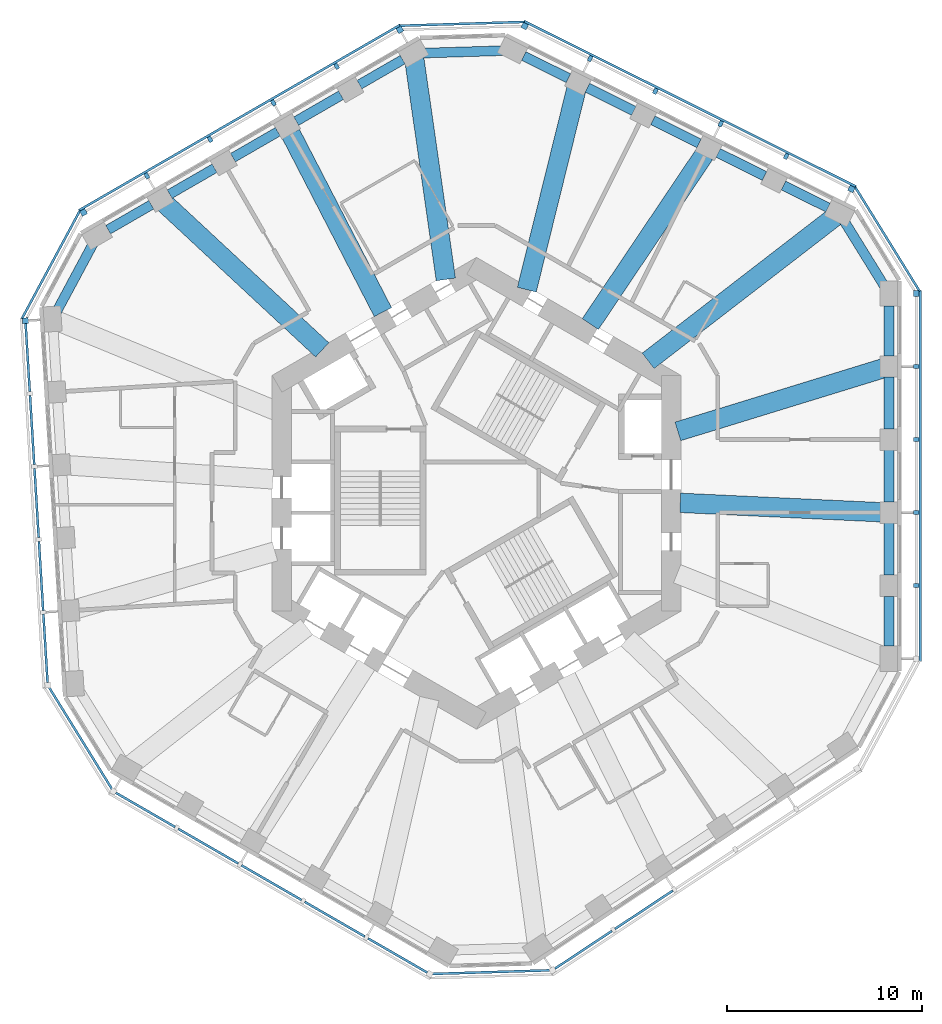
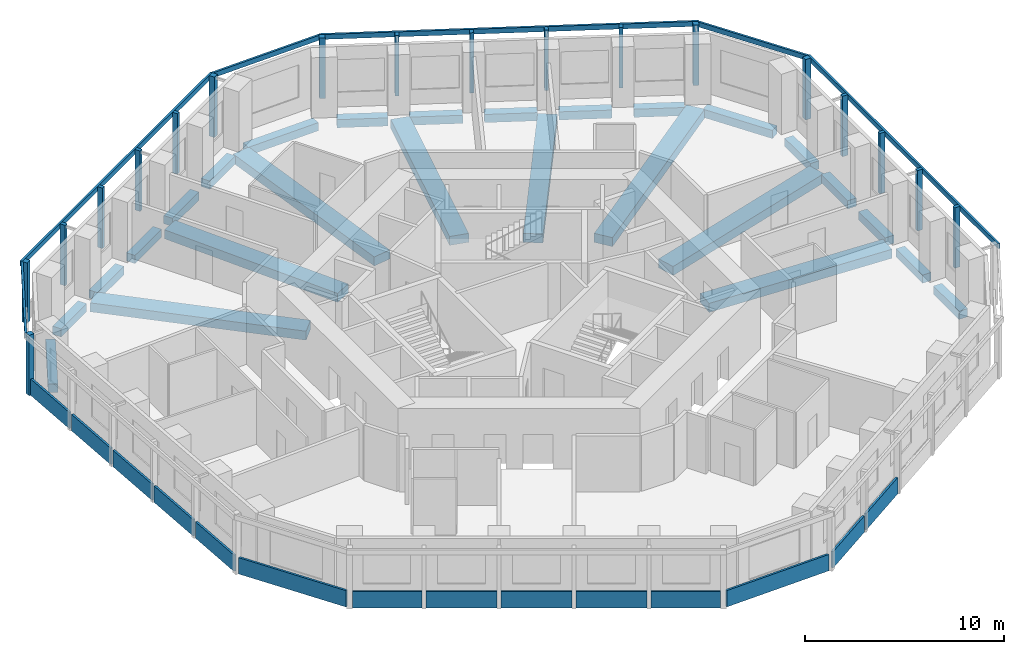
# One storey, part 2 of 11: 26 beams, 24 members, 14 plates, 11 elements without a shape of their own.
"""IFC4 building model written with IfcOpenShell, lengths in metres."""

import ifcopenshell
import ifcopenshell.guid

model = None  # the IFC model being written
_history = None  # IfcOwnerHistory: only IFC2X3 demands one
_inside = {}  # id of a spatial element -> (the spatial element, [elements in it])
_under = {}  # id of a project, library or spatial element -> (it, [spatial elements below it])
_declared = {}  # id of a project -> (the project, [libraries it declares])
_typed = {}  # id of a type object -> (the type object, [elements of that type])
_made_of = {}  # id of a material, layer set ... -> (it, [elements and type objects made of it])


def new_model(schema):
    """Start an empty IFC model of exactly this schema.

    Asked for "IFC4X3", IfcOpenShell would pick the latest addendum, in which some entities
    have other attributes; the version numbers below select the first issue.
    IFC2X3 requires an IfcOwnerHistory on every rooted entity: one is made here for all.
    """
    global model, _history
    if schema == "IFC4X3":
        model = ifcopenshell.file(schema_version=(4, 3, 0, 0))
    else:
        model = ifcopenshell.file(schema=schema)
    _inside.clear()
    _under.clear()
    _declared.clear()
    _typed.clear()
    _made_of.clear()
    _history = None
    if model.schema == "IFC2X3":
        org = make("IfcOrganization", Name="unknown")
        user = make(
            "IfcPersonAndOrganization",
            ThePerson=make("IfcPerson", FamilyName="unknown"),
            TheOrganization=org,
        )
        app = make(
            "IfcApplication",
            ApplicationDeveloper=org,
            Version="unknown",
            ApplicationFullName="unknown",
            ApplicationIdentifier="unknown",
        )
        _history = make(
            "IfcOwnerHistory",
            OwningUser=user,
            OwningApplication=app,
            ChangeAction="ADDED",
            CreationDate=0,
        )
    return model


def make(cls, **values):
    """One entity of the class cls with the attributes given. An attribute that is None is left unset."""
    return model.create_entity(
        cls, **{name: value for name, value in values.items() if value is not None}
    )


def rooted(cls, **values):
    """An entity with a GlobalId (a new one), such as an element, a storey or a relation."""
    return make(cls, GlobalId=ifcopenshell.guid.new(), OwnerHistory=_history, **values)


def si_unit(unit_type, name, prefix=None):
    """IfcSIUnit, for example si_unit("LENGTHUNIT", "METRE", prefix="MILLI")."""
    return make("IfcSIUnit", UnitType=unit_type, Prefix=prefix, Name=name)


def assignment(units):
    """IfcUnitAssignment: the units of a project."""
    return None if units is None else make("IfcUnitAssignment", Units=units)


def point(xyz):
    """IfcCartesianPoint."""
    return None if xyz is None else make("IfcCartesianPoint", Coordinates=xyz)


def direction(xyz):
    """IfcDirection."""
    return None if xyz is None else make("IfcDirection", DirectionRatios=xyz)


def frame(location, z_axis=None, x_axis=None):
    """IfcAxis2Placement3D, a coordinate frame: its origin and axes. An axis left out is left unset."""
    return make(
        "IfcAxis2Placement3D",
        Location=point(location),
        Axis=direction(z_axis),
        RefDirection=direction(x_axis),
    )


def frame_2d(location, x_axis=None):
    """IfcAxis2Placement2D, a coordinate frame in the plane: its origin and x axis."""
    return make(
        "IfcAxis2Placement2D", Location=point(location), RefDirection=direction(x_axis)
    )


def origin():
    """The frame at (0, 0, 0) with its axes left unset."""
    return frame((0.0, 0.0, 0.0))


def origin_2d():
    """The frame at (0, 0) in the plane with its x axis left unset."""
    return frame_2d((0.0, 0.0))


def place(relative_to, where):
    """IfcLocalPlacement: puts the frame where relative to a parent placement (None: the world)."""
    return make(
        "IfcLocalPlacement", PlacementRelTo=relative_to, RelativePlacement=where
    )


def context(
    kind, dimensions, precision=None, world=None, true_north=None, identifier=None
):
    """IfcGeometricRepresentationContext, for example the 3D "Model" context."""
    return make(
        "IfcGeometricRepresentationContext",
        ContextIdentifier=identifier,
        ContextType=kind,
        CoordinateSpaceDimension=dimensions,
        Precision=precision,
        WorldCoordinateSystem=world,
        TrueNorth=true_north,
    )


def subcontext(parent, identifier, kind, view, scale=None):
    """IfcGeometricRepresentationSubContext, for example "Body" below "Model"."""
    return make(
        "IfcGeometricRepresentationSubContext",
        ContextIdentifier=identifier,
        ContextType=kind,
        ParentContext=parent,
        TargetScale=scale,
        TargetView=view,
    )


def project(units=None, contexts=None):
    """IfcProject with its units and contexts."""
    return rooted(
        "IfcProject",
        Name="project",
        RepresentationContexts=contexts,
        UnitsInContext=assignment(units),
    )


def spatial(cls, under=None, at=None, **own):
    """A site, building, storey or space (cls), placed at a placement, below another one or the project."""
    s = rooted(cls, ObjectPlacement=at, **own)
    if under is not None:
        _under.setdefault(under.id(), (under, []))[1].append(s)
    return s


def profile(cls, at=None, kind="AREA", **sizes):
    """A parametric profile (cls). Its sizes go by their IFC names, for example OverallWidth=200.0."""
    return make(cls, ProfileType=kind, Position=at, **sizes)


def rectangle(**sizes):
    """IfcRectangleProfileDef."""
    return profile("IfcRectangleProfileDef", **sizes)


def extrude(swept, where, along, depth):
    """IfcExtrudedAreaSolid: the profile swept, set in the frame where, extruded along a direction by depth."""
    return make(
        "IfcExtrudedAreaSolid",
        SweptArea=swept,
        Position=where,
        ExtrudedDirection=direction(along),
        Depth=depth,
    )


def shape(context_of_items, identifier, shape_type, items):
    """IfcShapeRepresentation: the items that make up one representation, for example the "Body"."""
    return make(
        "IfcShapeRepresentation",
        ContextOfItems=context_of_items,
        RepresentationIdentifier=identifier,
        RepresentationType=shape_type,
        Items=items,
    )


def material(Name=None, Category=None):
    """IfcMaterial."""
    return make("IfcMaterial", Name=Name, Category=Category)


def layer(
    of_material, thickness, ventilated=None, Name=None, Category=None, Priority=None
):
    """IfcMaterialLayer: one layer of a wall or slab, of a material (None: an air gap)."""
    return make(
        "IfcMaterialLayer",
        Material=of_material,
        LayerThickness=thickness,
        IsVentilated=ventilated,
        Name=Name,
        Category=Category,
        Priority=Priority,
    )


def layer_set(layers, Name=None):
    """IfcMaterialLayerSet."""
    return make("IfcMaterialLayerSet", MaterialLayers=layers, LayerSetName=Name)


def material_profile(
    of_material, cross_section, Name=None, Category=None, Priority=None
):
    """IfcMaterialProfile: a cross section and its material."""
    return make(
        "IfcMaterialProfile",
        Name=Name,
        Material=of_material,
        Profile=cross_section,
        Priority=Priority,
        Category=Category,
    )


def profile_set(profiles, Name=None, composite=None):
    """IfcMaterialProfileSet."""
    return make(
        "IfcMaterialProfileSet",
        Name=Name,
        MaterialProfiles=profiles,
        CompositeProfile=composite,
    )


def made_of(thing, what):
    """Note that an element or type object is made of a material, layer set ...; save() writes the relation."""
    if what is not None:
        _made_of.setdefault(what.id(), (what, []))[1].append(thing)
    return thing


def type_object(cls, material=None, **own):
    """A type object (cls), such as IfcWallType, which elements share."""
    return made_of(rooted(cls, **own), material)


def element(
    cls,
    number,
    at=None,
    inside=None,
    cuts=None,
    type_object=None,
    material=None,
    context=None,
    identifier="Body",
    shape_type=None,
    held_by="IfcProductDefinitionShape",
    body=None,
    shapes=None,
    **own,
):
    """One element of the class cls, such as IfcWall. Its Tag is "e" and its number.

    at: its placement. inside: the storey or other place that contains it. cuts: it is an
    opening in that element (IfcRelVoidsElement). A single representation is given by context,
    identifier, shape_type and body (its items); several are given by shapes. held_by: the class
    of the entity that holds the representations. save() writes the other relations.
    """
    e = rooted(cls, Tag="e%d" % number, ObjectPlacement=at, **own)
    if body is not None:
        shapes = [shape(context, identifier, shape_type, body)]
    if shapes is not None:
        e.Representation = make(held_by, Representations=shapes)
    if inside is not None:
        _inside.setdefault(inside.id(), (inside, []))[1].append(e)
    if cuts is not None:
        rooted(
            "IfcRelVoidsElement", RelatingBuildingElement=cuts, RelatedOpeningElement=e
        )
    if type_object is not None:
        _typed.setdefault(type_object.id(), (type_object, []))[1].append(e)
    return made_of(e, material)


def aggregate(whole, parts):
    """IfcRelAggregates: a whole, such as a stair, and the parts it consists of."""
    return rooted("IfcRelAggregates", RelatingObject=whole, RelatedObjects=parts)


def save(model, path):
    """Write the relations noted so far, then the file.

    IfcRelAggregates (storeys below a building ...), IfcRelContainedInSpatialStructure (elements
    in a storey), IfcRelDefinesByType, IfcRelAssociatesMaterial and IfcRelDeclares: one each for
    every whole, place, type object, material and project.
    """
    for whole, parts in _under.values():
        aggregate(whole, parts)
    for where, things in _inside.values():
        rooted(
            "IfcRelContainedInSpatialStructure",
            RelatedElements=things,
            RelatingStructure=where,
        )
    for kind, things in _typed.values():
        rooted("IfcRelDefinesByType", RelatedObjects=things, RelatingType=kind)
    for what, things in _made_of.values():
        rooted("IfcRelAssociatesMaterial", RelatedObjects=things, RelatingMaterial=what)
    for by, libraries in _declared.values():
        rooted("IfcRelDeclares", RelatingContext=by, RelatedDefinitions=libraries)
    model.write(path)


model = new_model("IFC4")

# Units and contexts
model_context = context("Model", 3, precision=1e-05, world=origin(), true_north=direction((0.0, 1.0)))
body_context = subcontext(model_context, "Body", "Model", "MODEL_VIEW")
ifc_project = project(units=[si_unit("LENGTHUNIT", "METRE"), si_unit("AREAUNIT", "SQUARE_METRE"), si_unit("VOLUMEUNIT", "CUBIC_METRE"), si_unit("PLANEANGLEUNIT", "RADIAN"), si_unit("MASSUNIT", "GRAM", prefix="KILO")], contexts=[model_context])

# Site, building, storey
site_placement = place(None, origin())
site = spatial("IfcSite", under=ifc_project, at=site_placement, CompositionType="ELEMENT")
building_placement = place(site_placement, origin())
building = spatial("IfcBuilding", under=site, at=building_placement, Name="Vanh Sen Convention Tower", CompositionType="ELEMENT")
storey_placement = place(building_placement, frame((0.0, 0.0, 146.60009765625)))
storey = spatial("IfcBuildingStorey", under=building, at=storey_placement, Name="L35", CompositionType="ELEMENT", Elevation=146.60009765625)

# Curtain wall, member
ifc_material_1 = material(Name="Concrete C50/60", Category="concrete")
curtain_wall_type = type_object("IfcCurtainWallType", Name="Outer skin office zone", PredefinedType="NOTDEFINED", material=ifc_material_1)
curtain_wall_1_placement = place(storey_placement, origin())
curtain_wall_1 = element("IfcCurtainWall", 1, at=curtain_wall_1_placement, inside=storey, type_object=curtain_wall_type, Name="OUTER SKIN E L35", PredefinedType="NOTDEFINED")
ifc_material_profile_1 = material_profile(ifc_material_1, rectangle(XDim=0.300048828125, YDim=0.300048828125, at=origin_2d()), Name="Outer skin precast corner fin 300 x 300")
ifc_profile_set_1 = profile_set([ifc_material_profile_1], Name="Concrete C50/60")
member_type_1 = type_object("IfcMemberType", Name="Outer skin precast corner fin 300 x 300", PredefinedType="MULLION", material=ifc_profile_set_1)
member_1_placement = place(storey_placement, frame((22.60009765625, 10.26953125, 0.0), z_axis=(0.0, 0.0, 1.0), x_axis=(0.0, 1.0, 0.0)))
member_1 = element("IfcMember", 2, at=member_1_placement, type_object=member_type_1, Name="OUTER SKIN CORNER FIN 6 E L35", PredefinedType="MULLION", context=body_context, shape_type="SweptSolid", body=[
    extrude(rectangle(XDim=0.300048828125, YDim=0.300048828125, at=origin_2d()), origin(), (0.0, 0.0, 1.0), 3.699951171875),
])

# Curtain wall, members
curtain_wall_2_placement = place(storey_placement, origin())
curtain_wall_2 = element("IfcCurtainWall", 3, at=curtain_wall_2_placement, inside=storey, type_object=curtain_wall_type, Name="OUTER SKIN NE L35", PredefinedType="NOTDEFINED")
member_2_placement = place(storey_placement, frame((19.274658203125, 15.643310546875, 0.0), z_axis=(0.0, 0.0, 1.0), x_axis=(-0.894934361602, 0.44619781311, 0.0)))
member_2 = element("IfcMember", 4, at=member_2_placement, type_object=member_type_1, Name="OUTER SKIN CORNER FIN 1 NE L35", PredefinedType="MULLION", context=body_context, shape_type="SweptSolid", body=[
    extrude(rectangle(XDim=0.300048828125, YDim=0.300048828125, at=origin_2d()), origin(), (0.0, 0.0, 1.0), 3.699951171875),
])
member_3_placement = place(storey_placement, frame((2.476318359375, 24.0185546875, 0.0), z_axis=(0.0, 0.0, 1.0), x_axis=(-0.894934361602, 0.44619781311, 0.0)))
member_3 = element("IfcMember", 5, at=member_3_placement, type_object=member_type_1, Name="OUTER SKIN CORNER FIN 6 NE L35", PredefinedType="MULLION", context=body_context, shape_type="SweptSolid", body=[
    extrude(rectangle(XDim=0.300048828125, YDim=0.300048828125, at=origin_2d()), origin(), (0.0, 0.0, 1.0), 3.699951171875),
])

curtain_wall_3_placement = place(storey_placement, origin())
curtain_wall_3 = element("IfcCurtainWall", 6, at=curtain_wall_3_placement, inside=storey, type_object=curtain_wall_type, Name="OUTER SKIN NW L35", PredefinedType="NOTDEFINED")
member_4_placement = place(storey_placement, frame((-3.93798828125, 23.822509765625, 0.0), z_axis=(0.0, 0.0, 1.0), x_axis=(-0.866025403784, -0.5, 0.0)))
member_4 = element("IfcMember", 7, at=member_4_placement, type_object=member_type_1, Name="OUTER SKIN CORNER FIN 1 NW L35", PredefinedType="MULLION", context=body_context, shape_type="SweptSolid", body=[
    extrude(rectangle(XDim=0.300048828125, YDim=0.300048828125, at=origin_2d()), origin(), (0.0, 0.0, 1.0), 3.699951171875),
])
member_5_placement = place(storey_placement, frame((-20.193603515625, 14.4375, 0.0), z_axis=(0.0, 0.0, 1.0), x_axis=(-0.866025403784, -0.5, 0.0)))
member_5 = element("IfcMember", 8, at=member_5_placement, type_object=member_type_1, Name="OUTER SKIN CORNER FIN 6 NW L35", PredefinedType="MULLION", context=body_context, shape_type="SweptSolid", body=[
    extrude(rectangle(XDim=0.300048828125, YDim=0.300048828125, at=origin_2d()), origin(), (0.0, 0.0, 1.0), 3.699951171875),
])

# Curtain wall, member
curtain_wall_4_placement = place(storey_placement, origin())
curtain_wall_4 = element("IfcCurtainWall", 9, at=curtain_wall_4_placement, inside=storey, type_object=curtain_wall_type, Name="OUTER SKIN W L35", PredefinedType="NOTDEFINED")
member_6_placement = place(storey_placement, frame((-23.184814453125, 8.87060546875, 0.0), z_axis=(0.0, 0.0, 1.0), x_axis=(0.061048539535, -0.998134798422, 0.0)))
member_6 = element("IfcMember", 10, at=member_6_placement, type_object=member_type_1, Name="OUTER SKIN CORNER FIN 1 W L35", PredefinedType="MULLION", context=body_context, shape_type="SweptSolid", body=[
    extrude(rectangle(XDim=0.300048828125, YDim=0.300048828125, at=origin_2d()), origin(), (0.0, 0.0, 1.0), 3.699951171875),
])

# Member
ifc_material_profile_2 = material_profile(ifc_material_1, rectangle(XDim=0.199951171875, YDim=0.300048828125, at=origin_2d()), Name="Outer skin precast fin 200 x 300")
ifc_profile_set_2 = profile_set([ifc_material_profile_2], Name="Concrete C50/60")
member_type_2 = type_object("IfcMemberType", Name="Outer skin precast fin 200 x 300", PredefinedType="MULLION", material=ifc_profile_set_2)
member_7_placement = place(storey_placement, frame((22.60009765625, -4.746826171875, 0.0), z_axis=(0.0, 0.0, 1.0), x_axis=(0.0, 1.0, 0.0)))
member_7 = element("IfcMember", 11, at=member_7_placement, type_object=member_type_2, Name="OUTER SKIN fin 2 E L35", PredefinedType="MULLION", context=body_context, shape_type="SweptSolid", body=[
    extrude(rectangle(XDim=0.199951171875, YDim=0.300048828125, at=origin_2d()), origin(), (0.0, 0.0, 1.0), 3.699951171875),
])

member_8_placement = place(storey_placement, frame((22.60009765625, -0.992919921875, 0.0), z_axis=(0.0, 0.0, 1.0), x_axis=(0.0, 1.0, 0.0)))
member_8 = element("IfcMember", 12, at=member_8_placement, type_object=member_type_2, Name="OUTER SKIN fin 3 E L35", PredefinedType="MULLION", context=body_context, shape_type="SweptSolid", body=[
    extrude(rectangle(XDim=0.199951171875, YDim=0.300048828125, at=origin_2d()), origin(), (0.0, 0.0, 1.0), 3.699951171875),
])

member_9_placement = place(storey_placement, frame((22.60009765625, 2.76123046875, 0.0), z_axis=(0.0, 0.0, 1.0), x_axis=(0.0, 1.0, 0.0)))
member_9 = element("IfcMember", 13, at=member_9_placement, type_object=member_type_2, Name="OUTER SKIN fin 4 E L35", PredefinedType="MULLION", context=body_context, shape_type="SweptSolid", body=[
    extrude(rectangle(XDim=0.199951171875, YDim=0.300048828125, at=origin_2d()), origin(), (0.0, 0.0, 1.0), 3.699951171875),
])

member_10_placement = place(storey_placement, frame((22.60009765625, 6.515380859375, 0.0), z_axis=(0.0, 0.0, 1.0), x_axis=(0.0, 1.0, 0.0)))
member_10 = element("IfcMember", 14, at=member_10_placement, type_object=member_type_2, Name="OUTER SKIN fin 5 E L35", PredefinedType="MULLION", context=body_context, shape_type="SweptSolid", body=[
    extrude(rectangle(XDim=0.199951171875, YDim=0.300048828125, at=origin_2d()), origin(), (0.0, 0.0, 1.0), 3.699951171875),
])

member_11_placement = place(storey_placement, frame((15.9150390625, 17.318359375, 0.0), z_axis=(0.0, 0.0, 1.0), x_axis=(-0.894934361602, 0.44619781311, 0.0)))
member_11 = element("IfcMember", 15, at=member_11_placement, type_object=member_type_2, Name="OUTER SKIN fin 2 NE L35", PredefinedType="MULLION", context=body_context, shape_type="SweptSolid", body=[
    extrude(rectangle(XDim=0.199951171875, YDim=0.300048828125, at=origin_2d()), origin(), (0.0, 0.0, 1.0), 3.699951171875),
])

member_12_placement = place(storey_placement, frame((12.555419921875, 18.993408203125, 0.0), z_axis=(0.0, 0.0, 1.0), x_axis=(-0.894934361602, 0.44619781311, 0.0)))
member_12 = element("IfcMember", 16, at=member_12_placement, type_object=member_type_2, Name="OUTER SKIN fin 3 NE L35", PredefinedType="MULLION", context=body_context, shape_type="SweptSolid", body=[
    extrude(rectangle(XDim=0.199951171875, YDim=0.300048828125, at=origin_2d()), origin(), (0.0, 0.0, 1.0), 3.699951171875),
])

member_13_placement = place(storey_placement, frame((9.195556640625, 20.66845703125, 0.0), z_axis=(0.0, 0.0, 1.0), x_axis=(-0.894934361602, 0.44619781311, 0.0)))
member_13 = element("IfcMember", 17, at=member_13_placement, type_object=member_type_2, Name="OUTER SKIN fin 4 NE L35", PredefinedType="MULLION", context=body_context, shape_type="SweptSolid", body=[
    extrude(rectangle(XDim=0.199951171875, YDim=0.300048828125, at=origin_2d()), origin(), (0.0, 0.0, 1.0), 3.699951171875),
])

member_14_placement = place(storey_placement, frame((5.8359375, 22.343505859375, 0.0), z_axis=(0.0, 0.0, 1.0), x_axis=(-0.894934361602, 0.44619781311, 0.0)))
member_14 = element("IfcMember", 18, at=member_14_placement, type_object=member_type_2, Name="OUTER SKIN fin 5 NE L35", PredefinedType="MULLION", context=body_context, shape_type="SweptSolid", body=[
    extrude(rectangle(XDim=0.199951171875, YDim=0.300048828125, at=origin_2d()), origin(), (0.0, 0.0, 1.0), 3.699951171875),
])

member_15_placement = place(storey_placement, frame((-7.189208984375, 21.945556640625, 0.0), z_axis=(0.0, 0.0, 1.0), x_axis=(-0.866025403784, -0.5, 0.0)))
member_15 = element("IfcMember", 19, at=member_15_placement, type_object=member_type_2, Name="OUTER SKIN fin 2 NW L35", PredefinedType="MULLION", context=body_context, shape_type="SweptSolid", body=[
    extrude(rectangle(XDim=0.199951171875, YDim=0.300048828125, at=origin_2d()), origin(), (0.0, 0.0, 1.0), 3.699951171875),
])

member_16_placement = place(storey_placement, frame((-10.440185546875, 20.068603515625, 0.0), z_axis=(0.0, 0.0, 1.0), x_axis=(-0.866025403784, -0.5, 0.0)))
member_16 = element("IfcMember", 20, at=member_16_placement, type_object=member_type_2, Name="OUTER SKIN fin 3 NW L35", PredefinedType="MULLION", context=body_context, shape_type="SweptSolid", body=[
    extrude(rectangle(XDim=0.199951171875, YDim=0.300048828125, at=origin_2d()), origin(), (0.0, 0.0, 1.0), 3.699951171875),
])

member_17_placement = place(storey_placement, frame((-13.69140625, 18.19140625, 0.0), z_axis=(0.0, 0.0, 1.0), x_axis=(-0.866025403784, -0.5, 0.0)))
member_17 = element("IfcMember", 21, at=member_17_placement, type_object=member_type_2, Name="OUTER SKIN fin 4 NW L35", PredefinedType="MULLION", context=body_context, shape_type="SweptSolid", body=[
    extrude(rectangle(XDim=0.199951171875, YDim=0.300048828125, at=origin_2d()), origin(), (0.0, 0.0, 1.0), 3.699951171875),
])

member_18_placement = place(storey_placement, frame((-16.9423828125, 16.314453125, 0.0), z_axis=(0.0, 0.0, 1.0), x_axis=(-0.866025403784, -0.5, 0.0)))
member_18 = element("IfcMember", 22, at=member_18_placement, type_object=member_type_2, Name="OUTER SKIN fin 5 NW L35", PredefinedType="MULLION", context=body_context, shape_type="SweptSolid", body=[
    extrude(rectangle(XDim=0.199951171875, YDim=0.300048828125, at=origin_2d()), origin(), (0.0, 0.0, 1.0), 3.699951171875),
])

ifc_material_profile_3 = material_profile(ifc_material_1, rectangle(XDim=0.1201171875, YDim=0.300048828125, at=origin_2d()), Name="Outer skin precast spandrel band 300 x 120")
ifc_profile_set_3 = profile_set([ifc_material_profile_3], Name="Concrete C50/60")
member_type_3 = type_object("IfcMemberType", Name="Outer skin precast spandrel band 300 x 120", PredefinedType="USERDEFINED", material=ifc_profile_set_3)
member_19_placement = place(storey_placement, frame((22.81005859375, -8.65087890625, 3.5498046875), z_axis=(0.0, 1.0, 0.0), x_axis=(-1.0, 0.0, 0.0)))
member_19 = element("IfcMember", 23, at=member_19_placement, type_object=member_type_3, Name="OUTER SKIN spandrel band E L35", ObjectType="TRANSOM", PredefinedType="USERDEFINED", context=body_context, shape_type="SweptSolid", body=[
    extrude(rectangle(XDim=0.1201171875, YDim=0.300048828125, at=origin_2d()), origin(), (0.0, 0.0, 1.0), 19.0703125),
])

aggregate(curtain_wall_1, [member_7, member_8, member_9, member_10, member_1, member_19])

# Curtain wall, member
curtain_wall_5_placement = place(storey_placement, origin())
curtain_wall_5 = element("IfcCurtainWall", 24, at=curtain_wall_5_placement, inside=storey, type_object=curtain_wall_type, Name="OUTER SKIN CH1 L35", PredefinedType="NOTDEFINED")
member_20_placement = place(storey_placement, frame((22.778564453125, 10.3798828125, 3.5498046875), z_axis=(-0.526173726926, 0.850377098171, 0.0), x_axis=(-0.850377098171, -0.526173726926, 0.0)))
member_20 = element("IfcMember", 25, at=member_20_placement, type_object=member_type_3, Name="OUTER SKIN spandrel band CH1 L35", ObjectType="TRANSOM", PredefinedType="USERDEFINED", context=body_context, shape_type="SweptSolid", body=[
    extrude(rectangle(XDim=0.1201171875, YDim=0.300048828125, at=origin_2d()), origin(), (0.0, 0.0, 1.0), 6.319580078125),
])
aggregate(curtain_wall_5, [member_20])

# Member
member_21_placement = place(storey_placement, frame((19.502685546875, 15.764404296875, 3.5498046875), z_axis=(-0.894941234474, 0.446184027996, 0.0), x_axis=(-0.446184027996, -0.894941234474, 0.0)))
member_21 = element("IfcMember", 26, at=member_21_placement, type_object=member_type_3, Name="OUTER SKIN spandrel band NE L35", ObjectType="TRANSOM", PredefinedType="USERDEFINED", context=body_context, shape_type="SweptSolid", body=[
    extrude(rectangle(XDim=0.1201171875, YDim=0.300048828125, at=origin_2d()), origin(), (0.0, 0.0, 1.0), 19.07080078125),
])

aggregate(curtain_wall_2, [member_2, member_11, member_12, member_13, member_14, member_3, member_21])

# Curtain wall, member
curtain_wall_6_placement = place(storey_placement, origin())
curtain_wall_6 = element("IfcCurtainWall", 27, at=curtain_wall_6_placement, inside=storey, type_object=curtain_wall_type, Name="OUTER SKIN CH2 L35", PredefinedType="NOTDEFINED")
member_22_placement = place(storey_placement, frame((2.4697265625, 24.228515625, 3.5498046875), z_axis=(-0.999533221695, -0.030550592913, 0.0), x_axis=(0.030550592913, -0.999533221695, 0.0)))
member_22 = element("IfcMember", 28, at=member_22_placement, type_object=member_type_3, Name="OUTER SKIN spandrel band CH2 L35", ObjectType="TRANSOM", PredefinedType="USERDEFINED", context=body_context, shape_type="SweptSolid", body=[
    extrude(rectangle(XDim=0.1201171875, YDim=0.300048828125, at=origin_2d()), origin(), (0.0, 0.0, 1.0), 6.4169921875),
])
aggregate(curtain_wall_6, [member_22])

# Member
member_23_placement = place(storey_placement, frame((-3.9130859375, 24.07958984375, 3.5498046875), z_axis=(-0.866023136587, -0.500003926881, 0.0), x_axis=(0.500003926881, -0.866023136587, 0.0)))
member_23 = element("IfcMember", 29, at=member_23_placement, type_object=member_type_3, Name="OUTER SKIN spandrel band NW L35", ObjectType="TRANSOM", PredefinedType="USERDEFINED", context=body_context, shape_type="SweptSolid", body=[
    extrude(rectangle(XDim=0.1201171875, YDim=0.300048828125, at=origin_2d()), origin(), (0.0, 0.0, 1.0), 19.070556640625),
])

aggregate(curtain_wall_3, [member_4, member_15, member_16, member_17, member_18, member_5, member_23])

# Curtain wall, member
curtain_wall_7_placement = place(storey_placement, origin())
curtain_wall_7 = element("IfcCurtainWall", 30, at=curtain_wall_7_placement, inside=storey, type_object=curtain_wall_type, Name="OUTER SKIN CH3 L35", PredefinedType="NOTDEFINED")
member_24_placement = place(storey_placement, frame((-20.378662109375, 14.536865234375, 3.5498046875), z_axis=(-0.47333707755, -0.880881383057, 0.0), x_axis=(0.880881383057, -0.47333707755, 0.0)))
member_24 = element("IfcMember", 31, at=member_24_placement, type_object=member_type_3, Name="OUTER SKIN spandrel band CH3 L35", ObjectType="TRANSOM", PredefinedType="USERDEFINED", context=body_context, shape_type="SweptSolid", body=[
    extrude(rectangle(XDim=0.1201171875, YDim=0.300048828125, at=origin_2d()), origin(), (0.0, 0.0, 1.0), 6.3193359375),
])
aggregate(curtain_wall_7, [member_24])

# Beams
ifc_material_2 = material(Name="Concrete C50/60", Category="concrete")
ifc_material_profile_4 = material_profile(ifc_material_2, rectangle(XDim=1.0, YDim=0.550048828125, at=origin_2d()), Name="RC 1000X550")
ifc_profile_set_4 = profile_set([ifc_material_profile_4], Name="Concrete C50/60")
beam_type_1 = type_object("IfcBeamType", Name="Radial floor beam 1000 x 550", PredefinedType="BEAM", material=ifc_profile_set_4)
beam_1_placement = place(storey_placement, frame((20.7783203125, -0.97314453125, -0.55517578125), z_axis=(-0.998905248477, 0.046779317705, 0.0), x_axis=(-0.046779317705, -0.998905248477, 0.0)))
element("IfcBeam", 32, at=beam_1_placement, inside=storey, type_object=beam_type_1, Name="Radial beam 02 L35", PredefinedType="BEAM", context=body_context, shape_type="SweptSolid", body=[
    extrude(rectangle(XDim=1.0, YDim=0.550048828125, at=origin_2d()), origin(), (0.0, 0.0, 1.0), 10.31787109375),
])
beam_2_placement = place(storey_placement, frame((20.97021484375, 6.44482421875, -0.55517578125), z_axis=(-0.955876339667, -0.293769336835, 0.0), x_axis=(0.293769336835, -0.955876339667, 0.0)))
element("IfcBeam", 33, at=beam_2_placement, inside=storey, type_object=beam_type_1, Name="Radial beam 03 L35", PredefinedType="BEAM", context=body_context, shape_type="SweptSolid", body=[
    extrude(rectangle(XDim=1.0, YDim=0.550048828125, at=origin_2d()), origin(), (0.0, 0.0, 1.0), 11.112060546875),
])
beam_3_placement = place(storey_placement, frame((18.449951171875, 14.236083984375, -0.55517578125), z_axis=(-0.79170818872, -0.610899454832, 0.0), x_axis=(0.610899454832, -0.79170818872, 0.0)))
element("IfcBeam", 34, at=beam_3_placement, inside=storey, type_object=beam_type_1, Name="Radial beam 04 L35", PredefinedType="BEAM", context=body_context, shape_type="SweptSolid", body=[
    extrude(rectangle(XDim=1.0, YDim=0.550048828125, at=origin_2d()), origin(), (0.0, 0.0, 1.0), 12.161865234375),
])
beam_4_placement = place(storey_placement, frame((11.716552734375, 17.422119140625, -0.55517578125), z_axis=(-0.558062126182, -0.829799170475, 0.0), x_axis=(0.829799170475, -0.558062126182, 0.0)))
element("IfcBeam", 35, at=beam_4_placement, inside=storey, type_object=beam_type_1, Name="Radial beam 05 L35", PredefinedType="BEAM", context=body_context, shape_type="SweptSolid", body=[
    extrude(rectangle(XDim=1.0, YDim=0.550048828125, at=origin_2d()), origin(), (0.0, 0.0, 1.0), 10.510009765625),
])
beam_5_placement = place(storey_placement, frame((5.144287109375, 20.81982421875, -0.55517578125), z_axis=(-0.239868649212, -0.970805351821, 0.0), x_axis=(0.970805351821, -0.239868649212, 0.0)))
element("IfcBeam", 36, at=beam_5_placement, inside=storey, type_object=beam_type_1, Name="Radial beam 06 L35", PredefinedType="BEAM", context=body_context, shape_type="SweptSolid", body=[
    extrude(rectangle(XDim=1.0, YDim=0.550048828125, at=origin_2d()), origin(), (0.0, 0.0, 1.0), 10.66552734375),
])
beam_6_placement = place(storey_placement, frame((-3.1982421875, 22.333740234375, -0.55517578125), z_axis=(0.141740638319, -0.989903829394, 0.0), x_axis=(0.989903829394, 0.141740638319, 0.0)))
element("IfcBeam", 37, at=beam_6_placement, inside=storey, type_object=beam_type_1, Name="Radial beam 07 L35", PredefinedType="BEAM", context=body_context, shape_type="SweptSolid", body=[
    extrude(rectangle(XDim=1.0, YDim=0.550048828125, at=origin_2d()), origin(), (0.0, 0.0, 1.0), 11.454345703125),
])
beam_7_placement = place(storey_placement, frame((-9.54638671875, 18.481201171875, -0.55517578125), z_axis=(0.458939431593, -0.888467556036, 0.0), x_axis=(0.888467556036, 0.458939431593, 0.0)))
element("IfcBeam", 38, at=beam_7_placement, inside=storey, type_object=beam_type_1, Name="Radial beam 08 L35", PredefinedType="BEAM", context=body_context, shape_type="SweptSolid", body=[
    extrude(rectangle(XDim=1.0, YDim=0.550048828125, at=origin_2d()), origin(), (0.0, 0.0, 1.0), 10.318115234375),
])
beam_8_placement = place(storey_placement, frame((-16.06640625, 14.9384765625, -0.55517578125), z_axis=(0.732344952361, -0.680933822594, 0.0), x_axis=(0.680933822594, 0.732344952361, 0.0)))
element("IfcBeam", 39, at=beam_8_placement, inside=storey, type_object=beam_type_1, Name="Radial beam 09 L35", PredefinedType="BEAM", context=body_context, shape_type="SweptSolid", body=[
    extrude(rectangle(XDim=1.0, YDim=0.550048828125, at=origin_2d()), origin(), (0.0, 0.0, 1.0), 11.112060546875),
])
ifc_material_profile_5 = material_profile(ifc_material_2, rectangle(XDim=0.5, YDim=0.5, at=origin_2d()), Name="RC 500X500")
ifc_profile_set_5 = profile_set([ifc_material_profile_5], Name="Concrete C50/60")
beam_type_2 = type_object("IfcBeamType", Name="Spandrel beam 500 x 500", PredefinedType="SPANDREL", material=ifc_profile_set_5)
beam_9_placement = place(storey_placement, frame((21.199951171875, -7.85595703125, -0.530029296875), z_axis=(0.0, 1.0, 0.0), x_axis=(-1.0, 0.0, 0.0)))
element("IfcBeam", 40, at=beam_9_placement, inside=storey, type_object=beam_type_2, Name="Spandrel beam 01 L35", PredefinedType="SPANDREL", context=body_context, shape_type="SweptSolid", body=[
    extrude(rectangle(XDim=0.5, YDim=0.5, at=origin_2d()), origin(), (0.0, 0.0, 1.0), 2.56396484375),
])
for number, where, z_axis, x_axis, name in (
    (41, (21.199951171875, -4.201904296875, -0.530029296875), (0.0, 1.0, 0.0), (-1.0, 0.0, 0.0), "Spandrel beam 02 L35"),
    (42, (21.199951171875, -0.44775390625, -0.530029296875), (0.0, 1.0, 0.0), (-1.0, 0.0, 0.0), "Spandrel beam 03 L35"),
    (43, (21.199951171875, 3.306396484375, -0.530029296875), (0.0, 1.0, 0.0), (-1.0, 0.0, 0.0), "Spandrel beam 04 L35"),
):
    element("IfcBeam", number, at=place(storey_placement, frame(where, z_axis=z_axis, x_axis=x_axis)), inside=storey, type_object=beam_type_2, Name=name, PredefinedType="SPANDREL", context=body_context, shape_type="SweptSolid", body=[
        extrude(rectangle(XDim=0.5, YDim=0.5, at=origin_2d()), origin(), (0.0, 0.0, 1.0), 2.6640625),
    ])
beam_10_placement = place(storey_placement, frame((21.199951171875, 7.060302734375, -0.530029296875), z_axis=(0.0, 1.0, 0.0), x_axis=(-1.0, 0.0, 0.0)))
element("IfcBeam", 44, at=beam_10_placement, inside=storey, type_object=beam_type_2, Name="Spandrel beam 05 L35", PredefinedType="SPANDREL", context=body_context, shape_type="SweptSolid", body=[
    extrude(rectangle(XDim=0.5, YDim=0.5, at=origin_2d()), origin(), (0.0, 0.0, 1.0), 2.564208984375),
])
beam_11_placement = place(storey_placement, frame((20.965087890625, 10.64892578125, -0.530029296875), z_axis=(-0.526180283514, 0.850373041224, 0.0), x_axis=(-0.850373041224, -0.526180283514, 0.0)))
element("IfcBeam", 45, at=beam_11_placement, inside=storey, type_object=beam_type_2, Name="Spandrel beam 06 L35", PredefinedType="SPANDREL", context=body_context, shape_type="SweptSolid", body=[
    extrude(rectangle(XDim=0.5, YDim=0.5, at=origin_2d()), origin(), (0.0, 0.0, 1.0), 3.95361328125),
])
beam_12_placement = place(storey_placement, frame((18.07275390625, 14.67822265625, -0.530029296875), z_axis=(-0.894940769459, 0.446184960707, 0.0), x_axis=(-0.446184960707, -0.894940769459, 0.0)))
element("IfcBeam", 46, at=beam_12_placement, inside=storey, type_object=beam_type_2, Name="Spandrel beam 07 L35", PredefinedType="SPANDREL", context=body_context, shape_type="SweptSolid", body=[
    extrude(rectangle(XDim=0.5, YDim=0.5, at=origin_2d()), origin(), (0.0, 0.0, 1.0), 2.56396484375),
])
for number, where, z_axis, x_axis, name in (
    (47, (14.802490234375, 16.30859375, -0.530029296875), (-0.894939776695, 0.446186951948, 0.0), (-0.446186951948, -0.894939776695, 0.0), "Spandrel beam 08 L35"),
    (48, (11.44287109375, 17.983642578125, -0.530029296875), (-0.894939776695, 0.446186951948, 0.0), (-0.446186951948, -0.894939776695, 0.0), "Spandrel beam 09 L35"),
    (49, (8.083251953125, 19.65869140625, -0.530029296875), (-0.894939776695, 0.446186951948, 0.0), (-0.446186951948, -0.894939776695, 0.0), "Spandrel beam 10 L35"),
):
    element("IfcBeam", number, at=place(storey_placement, frame(where, z_axis=z_axis, x_axis=x_axis)), inside=storey, type_object=beam_type_2, Name=name, PredefinedType="SPANDREL", context=body_context, shape_type="SweptSolid", body=[
        extrude(rectangle(XDim=0.5, YDim=0.5, at=origin_2d()), origin(), (0.0, 0.0, 1.0), 2.6640625),
    ])
beam_13_placement = place(storey_placement, frame((4.723388671875, 21.333984375, -0.530029296875), z_axis=(-0.894978788678, 0.446108695069, 0.0), x_axis=(-0.446108695069, -0.894978788678, 0.0)))
element("IfcBeam", 50, at=beam_13_placement, inside=storey, type_object=beam_type_2, Name="Spandrel beam 11 L35", PredefinedType="SPANDREL", context=body_context, shape_type="SweptSolid", body=[
    extrude(rectangle(XDim=0.5, YDim=0.5, at=origin_2d()), origin(), (0.0, 0.0, 1.0), 2.56396484375),
])
beam_14_placement = place(storey_placement, frame((1.371337890625, 22.7509765625, -0.530029296875), z_axis=(-0.999534922792, -0.030494886783, 0.0), x_axis=(0.030494886783, -0.999534922792, 0.0)))
element("IfcBeam", 51, at=beam_14_placement, inside=storey, type_object=beam_type_2, Name="Spandrel beam 12 L35", PredefinedType="SPANDREL", context=body_context, shape_type="SweptSolid", body=[
    extrude(rectangle(XDim=0.5, YDim=0.5, at=origin_2d()), origin(), (0.0, 0.0, 1.0), 4.131103515625),
])
beam_15_placement = place(storey_placement, frame((-3.79638671875, 22.28759765625, -0.530029296875), z_axis=(-0.866049234614, -0.499958721521, 0.0), x_axis=(0.499958721521, -0.866049234614, 0.0)))
element("IfcBeam", 52, at=beam_15_placement, inside=storey, type_object=beam_type_2, Name="Spandrel beam 13 L35", PredefinedType="SPANDREL", context=body_context, shape_type="SweptSolid", body=[
    extrude(rectangle(XDim=0.5, YDim=0.5, at=origin_2d()), origin(), (0.0, 0.0, 1.0), 2.564208984375),
])
beam_16_placement = place(storey_placement, frame((-6.961181640625, 20.460693359375, -0.530029296875), z_axis=(-0.866023818221, -0.500002746266, 0.0), x_axis=(0.500002746266, -0.866023818221, 0.0)))
element("IfcBeam", 53, at=beam_16_placement, inside=storey, type_object=beam_type_2, Name="Spandrel beam 14 L35", PredefinedType="SPANDREL", context=body_context, shape_type="SweptSolid", body=[
    extrude(rectangle(XDim=0.5, YDim=0.5, at=origin_2d()), origin(), (0.0, 0.0, 1.0), 2.6640625),
])
beam_17_placement = place(storey_placement, frame((-10.212158203125, 18.58349609375, -0.530029296875), z_axis=(-0.866063499924, -0.499934009745, 0.0), x_axis=(0.499934009745, -0.866063499924, 0.0)))
element("IfcBeam", 54, at=beam_17_placement, inside=storey, type_object=beam_type_2, Name="Spandrel beam 15 L35", PredefinedType="SPANDREL", context=body_context, shape_type="SweptSolid", body=[
    extrude(rectangle(XDim=0.5, YDim=0.5, at=origin_2d()), origin(), (0.0, 0.0, 1.0), 2.663818359375),
])
beam_18_placement = place(storey_placement, frame((-13.46337890625, 16.70654296875, -0.530029296875), z_axis=(-0.866023818221, -0.500002746266, 0.0), x_axis=(0.500002746266, -0.866023818221, 0.0)))
element("IfcBeam", 55, at=beam_18_placement, inside=storey, type_object=beam_type_2, Name="Spandrel beam 16 L35", PredefinedType="SPANDREL", context=body_context, shape_type="SweptSolid", body=[
    extrude(rectangle(XDim=0.5, YDim=0.5, at=origin_2d()), origin(), (0.0, 0.0, 1.0), 2.6640625),
])
beam_19_placement = place(storey_placement, frame((-16.714599609375, 14.82958984375, -0.530029296875), z_axis=(-0.866025432576, -0.499999950132, 0.0), x_axis=(0.499999950132, -0.866025432576, 0.0)))
element("IfcBeam", 56, at=beam_19_placement, inside=storey, type_object=beam_type_2, Name="Spandrel beam 17 L35", PredefinedType="SPANDREL", context=body_context, shape_type="SweptSolid", body=[
    extrude(rectangle(XDim=0.5, YDim=0.5, at=origin_2d()), origin(), (0.0, 0.0, 1.0), 2.56396484375),
])
beam_20_placement = place(storey_placement, frame((-19.704833984375, 12.83203125, -0.530029296875), z_axis=(-0.473300582372, -0.880900992579, 0.0), x_axis=(0.880900992579, -0.473300582372, 0.0)))
element("IfcBeam", 57, at=beam_20_placement, inside=storey, type_object=beam_type_2, Name="Spandrel beam 18 L35", PredefinedType="SPANDREL", context=body_context, shape_type="SweptSolid", body=[
    extrude(rectangle(XDim=0.5, YDim=0.5, at=origin_2d()), origin(), (0.0, 0.0, 1.0), 3.953857421875),
])

# Plate
ifc_layer = layer(ifc_material_1, 0.1201171875)
ifc_layer_set = layer_set([ifc_layer], Name="Concrete C50/60")
plate_type = type_object("IfcPlateType", Name="Outer skin precast screen panel 120", PredefinedType="CURTAIN_PANEL", material=ifc_layer_set)
plate_1_placement = place(storey_placement, frame((-23.068603515625, 6.97216796875, 0.0), z_axis=(0.0, 0.0, 1.0), x_axis=(0.061053765756, -0.998134478759, 0.0)))
plate_1 = element("IfcPlate", 58, at=plate_1_placement, type_object=plate_type, Name="OUTER SKIN screen panel W-1", PredefinedType="CURTAIN_PANEL", context=body_context, shape_type="SweptSolid", body=[
    extrude(rectangle(XDim=3.504150390625, YDim=0.1201171875, at=origin_2d()), origin(), (0.0, 0.0, 1.0), 1.0),
])

plate_2_placement = place(storey_placement, frame((-22.841064453125, 3.25, 0.0), z_axis=(0.0, 0.0, 1.0), x_axis=(0.061052023682, -0.998134585316, 0.0)))
plate_2 = element("IfcPlate", 59, at=plate_2_placement, type_object=plate_type, Name="OUTER SKIN screen panel W-2", PredefinedType="CURTAIN_PANEL", context=body_context, shape_type="SweptSolid", body=[
    extrude(rectangle(XDim=3.55419921875, YDim=0.1201171875, at=origin_2d()), origin(), (0.0, 0.0, 1.0), 1.0),
])

plate_3_placement = place(storey_placement, frame((-22.61181640625, -0.4970703125, 0.0), z_axis=(0.0, 0.0, 1.0), x_axis=(0.061053765756, -0.998134478759, 0.0)))
plate_3 = element("IfcPlate", 60, at=plate_3_placement, type_object=plate_type, Name="OUTER SKIN screen panel W-3", PredefinedType="CURTAIN_PANEL", context=body_context, shape_type="SweptSolid", body=[
    extrude(rectangle(XDim=3.55419921875, YDim=0.1201171875, at=origin_2d()), origin(), (0.0, 0.0, 1.0), 1.0),
])

plate_4_placement = place(storey_placement, frame((-22.382568359375, -4.244140625, 0.0), z_axis=(0.0, 0.0, 1.0), x_axis=(0.061025892559, -0.998136183312, 0.0)))
plate_4 = element("IfcPlate", 61, at=plate_4_placement, type_object=plate_type, Name="OUTER SKIN screen panel W-4", PredefinedType="CURTAIN_PANEL", context=body_context, shape_type="SweptSolid", body=[
    extrude(rectangle(XDim=3.55419921875, YDim=0.1201171875, at=origin_2d()), origin(), (0.0, 0.0, 1.0), 1.0),
])

plate_5_placement = place(storey_placement, frame((-22.155029296875, -7.96630859375, 0.0), z_axis=(0.0, 0.0, 1.0), x_axis=(0.061053765756, -0.998134478759, 0.0)))
plate_5 = element("IfcPlate", 62, at=plate_5_placement, type_object=plate_type, Name="OUTER SKIN screen panel W-5", PredefinedType="CURTAIN_PANEL", context=body_context, shape_type="SweptSolid", body=[
    extrude(rectangle(XDim=3.504150390625, YDim=0.1201171875, at=origin_2d()), origin(), (0.0, 0.0, 1.0), 1.0),
])

aggregate(curtain_wall_4, [member_6, plate_1, plate_2, plate_3, plate_4, plate_5])

# Curtain wall, plate
curtain_wall_8_placement = place(storey_placement, origin())
curtain_wall_8 = element("IfcCurtainWall", 63, at=curtain_wall_8_placement, inside=storey, type_object=curtain_wall_type, Name="OUTER SKIN CH4 L35", PredefinedType="NOTDEFINED")
plate_6_placement = place(storey_placement, frame((-20.3505859375, -12.59326171875, 0.0), z_axis=(0.0, 0.0, 1.0), x_axis=(0.526218376078, -0.850349469734, 0.0)))
plate_6 = element("IfcPlate", 64, at=plate_6_placement, type_object=plate_type, Name="OUTER SKIN screen panel CH4-1", PredefinedType="CURTAIN_PANEL", context=body_context, shape_type="SweptSolid", body=[
    extrude(rectangle(XDim=6.1171875, YDim=0.1201171875, at=origin_2d()), origin(), (0.0, 0.0, 1.0), 1.0),
])
aggregate(curtain_wall_8, [plate_6])

# Curtain wall, plates
curtain_wall_9_placement = place(storey_placement, origin())
curtain_wall_9 = element("IfcCurtainWall", 65, at=curtain_wall_9_placement, inside=storey, type_object=curtain_wall_type, Name="OUTER SKIN SW L35", PredefinedType="NOTDEFINED")
plate_7_placement = place(storey_placement, frame((-17.014892578125, -16.272705078125, 0.0), z_axis=(0.0, 0.0, 1.0), x_axis=(0.86602365845, -0.500003022996, 0.0)))
plate_7 = element("IfcPlate", 66, at=plate_7_placement, type_object=plate_type, Name="OUTER SKIN screen panel SW-1", PredefinedType="CURTAIN_PANEL", context=body_context, shape_type="SweptSolid", body=[
    extrude(rectangle(XDim=3.504150390625, YDim=0.1201171875, at=origin_2d()), origin(), (0.0, 0.0, 1.0), 1.0),
])
plate_8_placement = place(storey_placement, frame((-13.785400390625, -18.13720703125, 0.0), z_axis=(0.0, 0.0, 1.0), x_axis=(0.866028021766, -0.499995465495, 0.0)))
plate_8 = element("IfcPlate", 67, at=plate_8_placement, type_object=plate_type, Name="OUTER SKIN screen panel SW-2", PredefinedType="CURTAIN_PANEL", context=body_context, shape_type="SweptSolid", body=[
    extrude(rectangle(XDim=3.553955078125, YDim=0.1201171875, at=origin_2d()), origin(), (0.0, 0.0, 1.0), 1.0),
])
plate_9_placement = place(storey_placement, frame((-10.5341796875, -20.014404296875, 0.0), z_axis=(0.0, 0.0, 1.0), x_axis=(0.86602365845, -0.500003022996, 0.0)))
plate_9 = element("IfcPlate", 68, at=plate_9_placement, type_object=plate_type, Name="OUTER SKIN screen panel SW-3", PredefinedType="CURTAIN_PANEL", context=body_context, shape_type="SweptSolid", body=[
    extrude(rectangle(XDim=3.55419921875, YDim=0.1201171875, at=origin_2d()), origin(), (0.0, 0.0, 1.0), 1.0),
])
plate_10_placement = place(storey_placement, frame((-7.283203125, -21.891357421875, 0.0), z_axis=(0.0, 0.0, 1.0), x_axis=(0.866016677006, -0.500015114919, 0.0)))
plate_10 = element("IfcPlate", 69, at=plate_10_placement, type_object=plate_type, Name="OUTER SKIN screen panel SW-4", PredefinedType="CURTAIN_PANEL", context=body_context, shape_type="SweptSolid", body=[
    extrude(rectangle(XDim=3.55419921875, YDim=0.1201171875, at=origin_2d()), origin(), (0.0, 0.0, 1.0), 1.0),
])
plate_11_placement = place(storey_placement, frame((-4.0537109375, -23.755859375, 0.0), z_axis=(0.0, 0.0, 1.0), x_axis=(0.866035002936, -0.499983373414, 0.0)))
plate_11 = element("IfcPlate", 70, at=plate_11_placement, type_object=plate_type, Name="OUTER SKIN screen panel SW-5", PredefinedType="CURTAIN_PANEL", context=body_context, shape_type="SweptSolid", body=[
    extrude(rectangle(XDim=3.504150390625, YDim=0.1201171875, at=origin_2d()), origin(), (0.0, 0.0, 1.0), 1.0),
])
aggregate(curtain_wall_9, [plate_7, plate_8, plate_9, plate_10, plate_11])

# Curtain wall, plate
curtain_wall_10_placement = place(storey_placement, origin())
curtain_wall_10 = element("IfcCurtainWall", 71, at=curtain_wall_10_placement, inside=storey, type_object=curtain_wall_type, Name="OUTER SKIN CH5 L35", PredefinedType="NOTDEFINED")
plate_12_placement = place(storey_placement, frame((0.751953125, -24.6103515625, 0.0), z_axis=(0.0, 0.0, 1.0), x_axis=(0.999533537535, 0.030540257725, 0.0)))
plate_12 = element("IfcPlate", 72, at=plate_12_placement, type_object=plate_type, Name="OUTER SKIN screen panel CH5-1", PredefinedType="CURTAIN_PANEL", context=body_context, shape_type="SweptSolid", body=[
    extrude(rectangle(XDim=6.019287109375, YDim=0.1201171875, at=origin_2d()), origin(), (0.0, 0.0, 1.0), 1.0),
])
aggregate(curtain_wall_10, [plate_12])

# Curtain wall, plates
curtain_wall_11_placement = place(storey_placement, origin())
curtain_wall_11 = element("IfcCurtainWall", 73, at=curtain_wall_11_placement, inside=storey, type_object=curtain_wall_type, Name="OUTER SKIN SE L35", PredefinedType="NOTDEFINED")
plate_13_placement = place(storey_placement, frame((5.49609375, -23.464111328125, 0.0), z_axis=(0.0, 0.0, 1.0), x_axis=(0.833889675294, 0.551931163677, 0.0)))
plate_13 = element("IfcPlate", 74, at=plate_13_placement, type_object=plate_type, Name="OUTER SKIN screen panel SE-1", PredefinedType="CURTAIN_PANEL", context=body_context, shape_type="SweptSolid", body=[
    extrude(rectangle(XDim=3.504150390625, YDim=0.1201171875, at=origin_2d()), origin(), (0.0, 0.0, 1.0), 1.0),
])
plate_14_placement = place(storey_placement, frame((8.60595703125, -21.406005859375, 0.0), z_axis=(0.0, 0.0, 1.0), x_axis=(0.833889675294, 0.551931163677, 0.0)))
plate_14 = element("IfcPlate", 75, at=plate_14_placement, type_object=plate_type, Name="OUTER SKIN screen panel SE-2", PredefinedType="CURTAIN_PANEL", context=body_context, shape_type="SweptSolid", body=[
    extrude(rectangle(XDim=3.55419921875, YDim=0.1201171875, at=origin_2d()), origin(), (0.0, 0.0, 1.0), 1.0),
])
aggregate(curtain_wall_11, [plate_13, plate_14])

save(model, "model.ifc")
